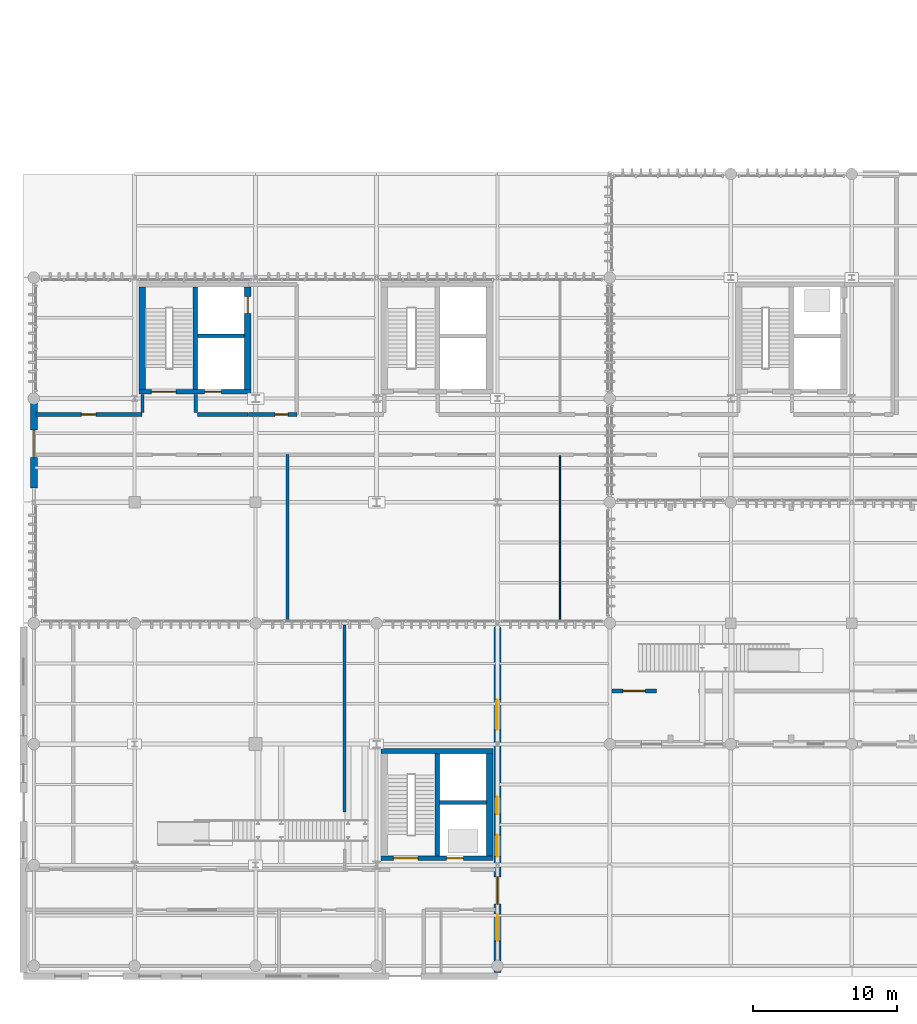
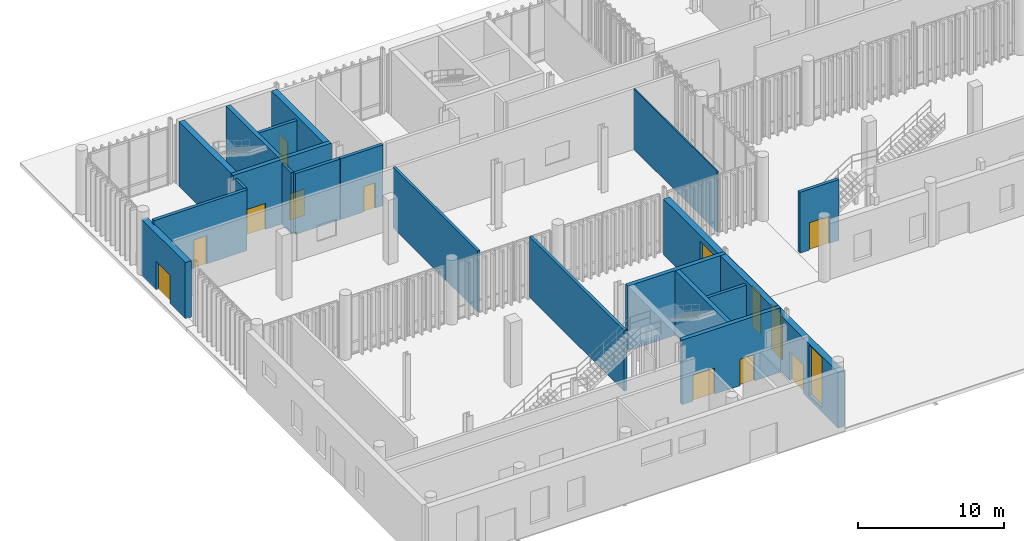
# One storey, part 86 of 112: 21 walls, 10 doors, 4 windows, 14 openings.
"""IFC4 building model written with IfcOpenShell, lengths in metres."""

from ifc_helpers import new_model, si_unit, direction, frame, frame_2d, origin_with_axes, place, context, subcontext, project, spatial, rectangle, extrude, material, layer, layer_set, type_object, element, fill, save


model = new_model("IFC4")

# Units and contexts
model_context = context("Model", 3, precision=1e-05, world=origin_with_axes(), true_north=direction((0.0, 1.0)))
body_context = subcontext(model_context, "Body", "Model", "MODEL_VIEW")
ifc_project = project(units=[si_unit("LENGTHUNIT", "METRE"), si_unit("AREAUNIT", "SQUARE_METRE"), si_unit("VOLUMEUNIT", "CUBIC_METRE"), si_unit("PLANEANGLEUNIT", "RADIAN"), si_unit("MASSUNIT", "GRAM", prefix="KILO"), si_unit("THERMODYNAMICTEMPERATUREUNIT", "KELVIN")], contexts=[model_context])

# Site, building, storey
site_placement = place(None, origin_with_axes())
site = spatial("IfcSite", under=ifc_project, at=site_placement, CompositionType="ELEMENT")
building_placement = place(site_placement, origin_with_axes())
building = spatial("IfcBuilding", under=site, at=building_placement, Name="Montbau Bow Law Courts", CompositionType="ELEMENT")
storey_placement = place(building_placement, origin_with_axes())
storey = spatial("IfcBuildingStorey", under=building, at=storey_placement, Name="L00", CompositionType="ELEMENT", Elevation=0.0)

# Wall, opening, door
ifc_material_1 = material(Name="Concrete CSA A23.1 f'c 45 MPa", Category="concrete")
ifc_layer_1 = layer(ifc_material_1, 0.45, Name="Shear Wall", Category="concrete")
ifc_layer_set_1 = layer_set([ifc_layer_1], Name="Concrete CSA A23.1 f'c 45 MPa")
wall_type_1 = type_object("IfcWallType", Name="W-COR-02", PredefinedType="SHEAR", material=ifc_layer_set_1)
wall_1_placement = place(None, frame((21.66, 46.84, 0.0), z_axis=(0.0, 0.0, 1.0), x_axis=(0.0, 1.0, 0.0)))
wall_1 = element("IfcWall", 1, at=wall_1_placement, inside=storey, type_object=wall_type_1, Name="WC-L00-0012:wal_0079", PredefinedType="SHEAR", context=body_context, shape_type="SweptSolid", body=[
    extrude(rectangle(XDim=7.119999999999997, YDim=0.45, at=frame_2d((3.56, 0.0), x_axis=(1.0, 0.0))), origin_with_axes(), (0.0, 0.0, 1.0), 5.4),
])
opening_1_placement = place(None, frame((21.66, 52.69, 0.0), z_axis=(0.0, 0.0, 1.0), x_axis=(0.0, 1.0, 0.0)))
opening_1 = element("IfcOpeningElement", 2, at=opening_1_placement, cuts=wall_1, Name="OP-LD-L00-EL-P2", PredefinedType="OPENING", context=body_context, shape_type="SweptSolid", body=[
    extrude(rectangle(XDim=1.16, YDim=2.2, at=frame_2d((0.0, 1.1), x_axis=(1.0, 0.0))), frame((0.0, 0.235, 0.0), z_axis=(0.0, -1.0, 0.0), x_axis=(1.0, 0.0, 0.0)), (0.0, 0.0, 1.0), 0.47),
])
ifc_material_2 = material(Name="Brushed Stainless Steel Elevator Landing Door", Category="steel")
door_type_1 = type_object("IfcDoorType", Name="LD-PUB-01", OperationType="NOTDEFINED", ParameterTakesPrecedence=False, PredefinedType="DOOR", material=ifc_material_2)
door_1_placement = place(None, frame((21.66, 52.69, 0.0), z_axis=(0.0, 0.0, 1.0), x_axis=(0.0, 1.0, 0.0)))
door_1 = element("IfcDoor", 3, at=door_1_placement, inside=storey, type_object=door_type_1, Name="LD-L00-EL-P2:dor_0043", OperationType="SLIDING_TO_LEFT", OverallHeight=2.2, OverallWidth=1.16, PredefinedType="DOOR", context=body_context, shape_type="SweptSolid", body=[
    extrude(rectangle(XDim=1.16, YDim=2.2, at=frame_2d((0.0, 1.1), x_axis=(1.0, 0.0))), frame((0.0, 0.04, 0.0), z_axis=(0.0, -1.0, 0.0), x_axis=(1.0, 0.0, 0.0)), (0.0, 0.0, 1.0), 0.08),
])
fill(opening_1, door_1)

# Walls
wall_2_placement = place(None, frame((14.34, 53.96, 0.0), z_axis=(0.0, 0.0, 1.0), x_axis=(0.0, -1.0, 0.0)))
element("IfcWall", 4, at=wall_2_placement, inside=storey, type_object=wall_type_1, Name="WC-L00-0013:wal_0080", PredefinedType="SHEAR", context=body_context, shape_type="SweptSolid", body=[
    extrude(rectangle(XDim=7.119999999999997, YDim=0.45, at=frame_2d((3.56, 0.0), x_axis=(1.0, 0.0))), origin_with_axes(), (0.0, 0.0, 1.0), 5.4),
])
wall_3_placement = place(None, frame((38.46, 14.44, 0.0), z_axis=(0.0, 0.0, 1.0), x_axis=(0.0, 1.0, 0.0)))
element("IfcWall", 5, at=wall_3_placement, inside=storey, type_object=wall_type_1, Name="WC-L00-0533:wal_0600", PredefinedType="SHEAR", context=body_context, shape_type="SweptSolid", body=[
    extrude(rectangle(XDim=7.119999999999999, YDim=0.45, at=frame_2d((3.56, 0.0), x_axis=(1.0, 0.0))), origin_with_axes(), (0.0, 0.0, 1.0), 5.4),
])

# Wall, openings, doors
ifc_layer_2 = layer(ifc_material_1, 0.32, Name="Shear Wall", Category="concrete")
ifc_layer_set_2 = layer_set([ifc_layer_2], Name="Concrete CSA A23.1 f'c 45 MPa")
wall_type_2 = type_object("IfcWallType", Name="W-COR-05", PredefinedType="SHEAR", material=ifc_layer_set_2)
wall_4_placement = place(None, frame((14.115, 46.68, 0.0), z_axis=(0.0, 0.0, 1.0), x_axis=(1.0, 0.0, 0.0)))
wall_4 = element("IfcWall", 6, at=wall_4_placement, inside=storey, type_object=wall_type_2, Name="WC-L00-0010:wal_0077", PredefinedType="SHEAR", context=body_context, shape_type="SweptSolid", body=[
    extrude(rectangle(XDim=7.770000000000001, YDim=0.32, at=frame_2d((3.885, 0.0), x_axis=(1.0, 0.0))), origin_with_axes(), (0.0, 0.0, 1.0), 5.4),
])
opening_2_placement = place(None, frame((15.825, 46.68, 0.0), z_axis=(0.0, 0.0, 1.0), x_axis=(1.0, 0.0, 0.0)))
opening_2 = element("IfcOpeningElement", 7, at=opening_2_placement, cuts=wall_4, Name="OP-D-L00-ST-P1", PredefinedType="OPENING", context=body_context, shape_type="SweptSolid", body=[
    extrude(rectangle(XDim=1.72, YDim=2.18, at=frame_2d((0.0, 1.09), x_axis=(1.0, 0.0))), frame((0.0, 0.17, 0.0), z_axis=(0.0, -1.0, 0.0), x_axis=(1.0, 0.0, 0.0)), (0.0, 0.0, 1.0), 0.34),
])
opening_3_placement = place(None, frame((19.25, 46.68, 0.0), z_axis=(0.0, 0.0, 1.0), x_axis=(1.0, 0.0, 0.0)))
opening_3 = element("IfcOpeningElement", 8, at=opening_3_placement, cuts=wall_4, Name="OP-LD-L00-EL-P1", PredefinedType="OPENING", context=body_context, shape_type="SweptSolid", body=[
    extrude(rectangle(XDim=1.16, YDim=2.2, at=frame_2d((0.0, 1.1), x_axis=(1.0, 0.0))), frame((0.0, 0.17, 0.0), z_axis=(0.0, -1.0, 0.0), x_axis=(1.0, 0.0, 0.0)), (0.0, 0.0, 1.0), 0.34),
])
ifc_material_3 = material(Name="1.5 h Fire-Rated Double Exit Stair Discharge Door", Category="steel")
door_type_2 = type_object("IfcDoorType", Name="D-ST-02", OperationType="NOTDEFINED", ParameterTakesPrecedence=False, PredefinedType="DOOR", material=ifc_material_3)
door_2_placement = place(None, frame((15.825, 46.68, 0.0), z_axis=(0.0, 0.0, 1.0), x_axis=(-1.0, 0.0, 0.0)))
door_2 = element("IfcDoor", 9, at=door_2_placement, inside=storey, type_object=door_type_2, Name="D-L00-ST-P1:dor_0041", OperationType="DOUBLE_DOOR_SINGLE_SWING", OverallHeight=2.18, OverallWidth=1.72, PredefinedType="DOOR", context=body_context, shape_type="SweptSolid", body=[
    extrude(rectangle(XDim=1.72, YDim=2.18, at=frame_2d((0.0, 1.09), x_axis=(1.0, 0.0))), frame((0.0, 0.04, 0.0), z_axis=(0.0, -1.0, 0.0), x_axis=(1.0, 0.0, 0.0)), (0.0, 0.0, 1.0), 0.08),
])
fill(opening_2, door_2)
door_3_placement = place(None, frame((19.25, 46.68, 0.0), z_axis=(0.0, 0.0, 1.0), x_axis=(-1.0, 0.0, 0.0)))
door_3 = element("IfcDoor", 10, at=door_3_placement, inside=storey, type_object=door_type_1, Name="LD-L00-EL-P1:dor_0042", OperationType="SLIDING_TO_LEFT", OverallHeight=2.2, OverallWidth=1.16, PredefinedType="DOOR", context=body_context, shape_type="SweptSolid", body=[
    extrude(rectangle(XDim=1.16, YDim=2.2, at=frame_2d((0.0, 1.1), x_axis=(1.0, 0.0))), frame((0.0, 0.04, 0.0), z_axis=(0.0, -1.0, 0.0), x_axis=(1.0, 0.0, 0.0)), (0.0, 0.0, 1.0), 0.08),
])
fill(opening_3, door_3)

# Wall
wall_5_placement = place(None, frame((18.02, 46.84, 0.0), z_axis=(0.0, 0.0, 1.0), x_axis=(0.0, 1.0, 0.0)))
element("IfcWall", 11, at=wall_5_placement, inside=storey, type_object=wall_type_2, Name="WS-L00-0014:wal_0081", PredefinedType="SHEAR", context=body_context, shape_type="SweptSolid", body=[
    extrude(rectangle(XDim=7.119999999999997, YDim=0.32, at=frame_2d((3.56, 0.0), x_axis=(1.0, 0.0))), origin_with_axes(), (0.0, 0.0, 1.0), 5.4),
])

# Wall, openings, doors
wall_6_placement = place(None, frame((30.915, 14.28, 0.0), z_axis=(0.0, 0.0, 1.0), x_axis=(1.0, 0.0, 0.0)))
wall_6 = element("IfcWall", 12, at=wall_6_placement, inside=storey, type_object=wall_type_2, Name="WC-L00-0531:wal_0598", PredefinedType="SHEAR", context=body_context, shape_type="SweptSolid", body=[
    extrude(rectangle(XDim=7.770000000000003, YDim=0.32, at=frame_2d((3.885, 0.0), x_axis=(1.0, 0.0))), origin_with_axes(), (0.0, 0.0, 1.0), 5.4),
])
opening_4_placement = place(None, frame((32.625, 14.28, 0.0), z_axis=(0.0, 0.0, 1.0), x_axis=(1.0, 0.0, 0.0)))
opening_4 = element("IfcOpeningElement", 13, at=opening_4_placement, cuts=wall_6, Name="OP-D-L00-ST-CER1", PredefinedType="OPENING", context=body_context, shape_type="SweptSolid", body=[
    extrude(rectangle(XDim=1.72, YDim=2.18, at=frame_2d((0.0, 1.09), x_axis=(1.0, 0.0))), frame((0.0, 0.17, 0.0), z_axis=(0.0, -1.0, 0.0), x_axis=(1.0, 0.0, 0.0)), (0.0, 0.0, 1.0), 0.34),
])
opening_5_placement = place(None, frame((36.05, 14.28, 0.0), z_axis=(0.0, 0.0, 1.0), x_axis=(1.0, 0.0, 0.0)))
opening_5 = element("IfcOpeningElement", 14, at=opening_5_placement, cuts=wall_6, Name="OP-LD-L00-EL-CER1", PredefinedType="OPENING", context=body_context, shape_type="SweptSolid", body=[
    extrude(rectangle(XDim=1.16, YDim=2.2, at=frame_2d((0.0, 1.1), x_axis=(1.0, 0.0))), frame((0.0, 0.17, 0.0), z_axis=(0.0, -1.0, 0.0), x_axis=(1.0, 0.0, 0.0)), (0.0, 0.0, 1.0), 0.34),
])
door_4_placement = place(None, frame((32.625, 14.28, 0.0), z_axis=(0.0, 0.0, 1.0), x_axis=(-1.0, 0.0, 0.0)))
door_4 = element("IfcDoor", 15, at=door_4_placement, inside=storey, type_object=door_type_2, Name="D-L00-ST-CER1:dor_0236", OperationType="DOUBLE_DOOR_SINGLE_SWING", OverallHeight=2.18, OverallWidth=1.72, PredefinedType="DOOR", context=body_context, shape_type="SweptSolid", body=[
    extrude(rectangle(XDim=1.72, YDim=2.18, at=frame_2d((0.0, 1.09), x_axis=(1.0, 0.0))), frame((0.0, 0.04, 0.0), z_axis=(0.0, -1.0, 0.0), x_axis=(1.0, 0.0, 0.0)), (0.0, 0.0, 1.0), 0.08),
])
fill(opening_4, door_4)
door_5_placement = place(None, frame((36.05, 14.28, 0.0), z_axis=(0.0, 0.0, 1.0), x_axis=(-1.0, 0.0, 0.0)))
door_5 = element("IfcDoor", 16, at=door_5_placement, inside=storey, type_object=door_type_1, Name="LD-L00-EL-CER1:dor_0237", OperationType="SLIDING_TO_LEFT", OverallHeight=2.2, OverallWidth=1.16, PredefinedType="DOOR", context=body_context, shape_type="SweptSolid", body=[
    extrude(rectangle(XDim=1.16, YDim=2.2, at=frame_2d((0.0, 1.1), x_axis=(1.0, 0.0))), frame((0.0, 0.04, 0.0), z_axis=(0.0, -1.0, 0.0), x_axis=(1.0, 0.0, 0.0)), (0.0, 0.0, 1.0), 0.08),
])
fill(opening_5, door_5)

# Walls
wall_7_placement = place(None, frame((38.685, 21.72, 0.0), z_axis=(0.0, 0.0, 1.0), x_axis=(-1.0, 0.0, 0.0)))
element("IfcWall", 17, at=wall_7_placement, inside=storey, type_object=wall_type_2, Name="WC-L00-0532:wal_0599", PredefinedType="SHEAR", context=body_context, shape_type="SweptSolid", body=[
    extrude(rectangle(XDim=7.770000000000003, YDim=0.32, at=frame_2d((3.885, 0.0), x_axis=(1.0, 0.0))), origin_with_axes(), (0.0, 0.0, 1.0), 5.4),
])
wall_8_placement = place(None, frame((34.82, 14.44, 0.0), z_axis=(0.0, 0.0, 1.0), x_axis=(0.0, 1.0, 0.0)))
element("IfcWall", 18, at=wall_8_placement, inside=storey, type_object=wall_type_2, Name="WS-L00-0535:wal_0602", PredefinedType="SHEAR", context=body_context, shape_type="SweptSolid", body=[
    extrude(rectangle(XDim=7.119999999999999, YDim=0.32, at=frame_2d((3.56, 0.0), x_axis=(1.0, 0.0))), origin_with_axes(), (0.0, 0.0, 1.0), 5.4),
])

# Wall, openings, door, windows
ifc_material_4 = material(Name="Manitoba Tyndall Limestone on Insulated Concrete Backing CSA A23.1 f'c 35 MPa", Category="masonry")
ifc_layer_3 = layer(ifc_material_4, 0.48, Name="Solid Wall", Category="masonry")
ifc_layer_set_3 = layer_set([ifc_layer_3], Name="Manitoba Tyndall Limestone on Insulated Concrete Backing CSA A23.1 f'c 35 MPa")
wall_type_3 = type_object("IfcWallType", Name="W-EXT-01", PredefinedType="SOLIDWALL", material=ifc_layer_set_3)
wall_9_placement = place(None, frame((39.0, 6.34, 0.0), z_axis=(0.0, 0.0, 1.0), x_axis=(0.0, 1.0, 0.0)))
wall_9 = element("IfcWall", 19, at=wall_9_placement, inside=storey, type_object=wall_type_3, Name="WE-L00-002:wal_0019", PredefinedType="SOLIDWALL", context=body_context, shape_type="SweptSolid", body=[
    extrude(rectangle(XDim=23.95, YDim=0.48, at=frame_2d((11.975, 0.0), x_axis=(1.0, 0.0))), origin_with_axes(), (0.0, 0.0, 1.0), 4.664),
])
opening_6_placement = place(None, frame((39.0, 12.04, 0.0), z_axis=(0.0, 0.0, 1.0), x_axis=(0.0, 1.0, 0.0)))
opening_6 = element("IfcOpeningElement", 20, at=opening_6_placement, cuts=wall_9, Name="OP-D-L00-E19", PredefinedType="OPENING", context=body_context, shape_type="SweptSolid", body=[
    extrude(rectangle(XDim=1.9, YDim=2.4, at=frame_2d((0.0, 1.2), x_axis=(1.0, 0.0))), frame((0.0, 0.25, 0.0), z_axis=(0.0, -1.0, 0.0), x_axis=(1.0, 0.0, 0.0)), (0.0, 0.0, 1.0), 0.5),
])
opening_7_placement = place(None, frame((39.0, 9.44, 0.364), z_axis=(0.0, 0.0, 1.0), x_axis=(0.0, 1.0, 0.0)))
opening_7 = element("IfcOpeningElement", 21, at=opening_7_placement, cuts=wall_9, Name="OP-WN-L00-001", PredefinedType="OPENING", context=body_context, shape_type="SweptSolid", body=[
    extrude(rectangle(XDim=1.8, YDim=4.2, at=frame_2d((0.0, 2.1), x_axis=(1.0, 0.0))), frame((0.0, 0.25, 0.0), z_axis=(0.0, -1.0, 0.0), x_axis=(1.0, 0.0, 0.0)), (0.0, 0.0, 1.0), 0.5),
])
opening_8_placement = place(None, frame((39.0, 15.14, 0.764), z_axis=(0.0, 0.0, 1.0), x_axis=(0.0, 1.0, 0.0)))
opening_8 = element("IfcOpeningElement", 22, at=opening_8_placement, cuts=wall_9, Name="OP-WN-L00-002", PredefinedType="OPENING", context=body_context, shape_type="SweptSolid", body=[
    extrude(rectangle(XDim=1.5, YDim=3.8, at=frame_2d((0.0, 1.9), x_axis=(1.0, 0.0))), frame((0.0, 0.25, 0.0), z_axis=(0.0, -1.0, 0.0), x_axis=(1.0, 0.0, 0.0)), (0.0, 0.0, 1.0), 0.5),
])
opening_9_placement = place(None, frame((39.0, 17.94, 1.1), z_axis=(0.0, 0.0, 1.0), x_axis=(0.0, 1.0, 0.0)))
opening_9 = element("IfcOpeningElement", 23, at=opening_9_placement, cuts=wall_9, Name="OP-WN-L00-003", PredefinedType="OPENING", context=body_context, shape_type="SweptSolid", body=[
    extrude(rectangle(XDim=1.2, YDim=3.4, at=frame_2d((0.0, 1.7), x_axis=(1.0, 0.0))), frame((0.0, 0.25, 0.0), z_axis=(0.0, -1.0, 0.0), x_axis=(1.0, 0.0, 0.0)), (0.0, 0.0, 1.0), 0.5),
])
opening_10_placement = place(None, frame((39.0, 24.24, 0.85), z_axis=(0.0, 0.0, 1.0), x_axis=(0.0, 1.0, 0.0)))
opening_10 = element("IfcOpeningElement", 24, at=opening_10_placement, cuts=wall_9, Name="OP-WN-L00-004", PredefinedType="OPENING", context=body_context, shape_type="SweptSolid", body=[
    extrude(rectangle(XDim=2.1, YDim=3.3, at=frame_2d((0.0, 1.65), x_axis=(1.0, 0.0))), frame((0.0, 0.25, 0.0), z_axis=(0.0, -1.0, 0.0), x_axis=(1.0, 0.0, 0.0)), (0.0, 0.0, 1.0), 0.5),
])
ifc_material_5 = material(Name="Insulated Hollow-Metal Exit Discharge Door", Category="steel")
door_type_3 = type_object("IfcDoorType", Name="D-EXT-04", OperationType="NOTDEFINED", ParameterTakesPrecedence=False, PredefinedType="DOOR", material=ifc_material_5)
door_6_placement = place(None, frame((39.0, 12.04, 0.0), z_axis=(0.0, 0.0, 1.0), x_axis=(0.0, -1.0, 0.0)))
door_6 = element("IfcDoor", 25, at=door_6_placement, inside=storey, type_object=door_type_3, Name="D-L00-E19:dor_0011", OperationType="DOUBLE_DOOR_SINGLE_SWING", OverallHeight=2.4, OverallWidth=1.9, PredefinedType="DOOR", context=body_context, shape_type="SweptSolid", body=[
    extrude(rectangle(XDim=1.9, YDim=2.4, at=frame_2d((0.0, 1.2), x_axis=(1.0, 0.0))), frame((0.0, 0.04, 0.0), z_axis=(0.0, -1.0, 0.0), x_axis=(1.0, 0.0, 0.0)), (0.0, 0.0, 1.0), 0.08),
])
fill(opening_6, door_6)
ifc_material_6 = material(Name="Triple-Glazed Low-E Argon Insulating Glass Unit", Category="glass")
window_type_1 = type_object("IfcWindowType", Name="WN-CER-01", ParameterTakesPrecedence=False, PartitioningType="SINGLE_PANEL", PredefinedType="WINDOW", material=ifc_material_6)
window_1_placement = place(None, frame((39.0, 9.44, 0.364), z_axis=(0.0, 0.0, 1.0), x_axis=(0.0, 1.0, 0.0)))
window_1 = element("IfcWindow", 26, at=window_1_placement, inside=storey, type_object=window_type_1, Name="WN-L00-001:win_0001", OverallHeight=4.2, OverallWidth=1.8, PartitioningType="SINGLE_PANEL", PredefinedType="WINDOW", context=body_context, shape_type="SweptSolid", body=[
    extrude(rectangle(XDim=1.8, YDim=4.2, at=frame_2d((0.0, 2.1), x_axis=(1.0, 0.0))), frame((0.0, 0.03, 0.0), z_axis=(0.0, -1.0, 0.0), x_axis=(1.0, 0.0, 0.0)), (0.0, 0.0, 1.0), 0.06),
])
fill(opening_7, window_1)
window_type_2 = type_object("IfcWindowType", Name="WN-CER-02", ParameterTakesPrecedence=False, PartitioningType="SINGLE_PANEL", PredefinedType="WINDOW", material=ifc_material_6)
window_2_placement = place(None, frame((39.0, 15.14, 0.764), z_axis=(0.0, 0.0, 1.0), x_axis=(0.0, 1.0, 0.0)))
window_2 = element("IfcWindow", 27, at=window_2_placement, inside=storey, type_object=window_type_2, Name="WN-L00-002:win_0002", OverallHeight=3.8, OverallWidth=1.5, PartitioningType="SINGLE_PANEL", PredefinedType="WINDOW", context=body_context, shape_type="SweptSolid", body=[
    extrude(rectangle(XDim=1.5, YDim=3.8, at=frame_2d((0.0, 1.9), x_axis=(1.0, 0.0))), frame((0.0, 0.03, 0.0), z_axis=(0.0, -1.0, 0.0), x_axis=(1.0, 0.0, 0.0)), (0.0, 0.0, 1.0), 0.06),
])
fill(opening_8, window_2)
window_type_3 = type_object("IfcWindowType", Name="WN-CER-03", ParameterTakesPrecedence=False, PartitioningType="SINGLE_PANEL", PredefinedType="WINDOW", material=ifc_material_6)
window_3_placement = place(None, frame((39.0, 17.94, 1.1), z_axis=(0.0, 0.0, 1.0), x_axis=(0.0, 1.0, 0.0)))
window_3 = element("IfcWindow", 28, at=window_3_placement, inside=storey, type_object=window_type_3, Name="WN-L00-003:win_0003", OverallHeight=3.4, OverallWidth=1.2, PartitioningType="SINGLE_PANEL", PredefinedType="WINDOW", context=body_context, shape_type="SweptSolid", body=[
    extrude(rectangle(XDim=1.2, YDim=3.4, at=frame_2d((0.0, 1.7), x_axis=(1.0, 0.0))), frame((0.0, 0.03, 0.0), z_axis=(0.0, -1.0, 0.0), x_axis=(1.0, 0.0, 0.0)), (0.0, 0.0, 1.0), 0.06),
])
fill(opening_9, window_3)
window_type_4 = type_object("IfcWindowType", Name="WN-PLN-01", ParameterTakesPrecedence=False, PartitioningType="SINGLE_PANEL", PredefinedType="WINDOW", material=ifc_material_6)
window_4_placement = place(None, frame((39.0, 24.24, 0.85), z_axis=(0.0, 0.0, 1.0), x_axis=(0.0, 1.0, 0.0)))
window_4 = element("IfcWindow", 29, at=window_4_placement, inside=storey, type_object=window_type_4, Name="WN-L00-004:win_0004", OverallHeight=3.3, OverallWidth=2.1, PartitioningType="SINGLE_PANEL", PredefinedType="WINDOW", context=body_context, shape_type="SweptSolid", body=[
    extrude(rectangle(XDim=2.1, YDim=3.3, at=frame_2d((0.0, 1.65), x_axis=(1.0, 0.0))), frame((0.0, 0.03, 0.0), z_axis=(0.0, -1.0, 0.0), x_axis=(1.0, 0.0, 0.0)), (0.0, 0.0, 1.0), 0.06),
])
fill(opening_10, window_4)

# Wall, opening, door
wall_10_placement = place(None, frame((6.8, 40.0, 0.0), z_axis=(0.0, 0.0, 1.0), x_axis=(0.0, 1.0, 0.0)))
wall_10 = element("IfcWall", 30, at=wall_10_placement, inside=storey, type_object=wall_type_3, Name="WE-L00-028:wal_0045", PredefinedType="SOLIDWALL", context=body_context, shape_type="SweptSolid", body=[
    extrude(rectangle(XDim=6.0, YDim=0.48, at=frame_2d((3.0, 0.0), x_axis=(1.0, 0.0))), origin_with_axes(), (0.0, 0.0, 1.0), 4.724),
])
opening_11_placement = place(None, frame((6.8, 43.05, 0.0), z_axis=(0.0, 0.0, 1.0), x_axis=(0.0, 1.0, 0.0)))
opening_11 = element("IfcOpeningElement", 31, at=opening_11_placement, cuts=wall_10, Name="OP-D-L00-E10", PredefinedType="OPENING", context=body_context, shape_type="SweptSolid", body=[
    extrude(rectangle(XDim=1.9, YDim=2.4, at=frame_2d((0.0, 1.2), x_axis=(1.0, 0.0))), frame((0.0, 0.25, 0.0), z_axis=(0.0, -1.0, 0.0), x_axis=(1.0, 0.0, 0.0)), (0.0, 0.0, 1.0), 0.5),
])
door_7_placement = place(None, frame((6.8, 43.05, 0.0), z_axis=(0.0, 0.0, 1.0), x_axis=(0.0, 1.0, 0.0)))
door_7 = element("IfcDoor", 32, at=door_7_placement, inside=storey, type_object=door_type_3, Name="D-L00-E10:dor_0012", OperationType="DOUBLE_DOOR_SINGLE_SWING", OverallHeight=2.4, OverallWidth=1.9, PredefinedType="DOOR", context=body_context, shape_type="SweptSolid", body=[
    extrude(rectangle(XDim=1.9, YDim=2.4, at=frame_2d((0.0, 1.2), x_axis=(1.0, 0.0))), frame((0.0, 0.04, 0.0), z_axis=(0.0, -1.0, 0.0), x_axis=(1.0, 0.0, 0.0)), (0.0, 0.0, 1.0), 0.08),
])
fill(opening_11, door_7)

# Wall
ifc_material_7 = material(Name="2 h Shaft and Exit-Passage Fire Separation Partition", Category="gypsum")
ifc_layer_4 = layer(ifc_material_7, 0.25, Name="Partition", Category="gypsum")
ifc_layer_set_4 = layer_set([ifc_layer_4], Name="2 h Shaft and Exit-Passage Fire Separation Partition")
wall_type_4 = type_object("IfcWallType", Name="W-PRT-01", PredefinedType="PARTITIONING", material=ifc_layer_set_4)
wall_11_placement = place(None, frame((18.18, 50.549, 0.0), z_axis=(0.0, 0.0, 1.0), x_axis=(1.0, 0.0, 0.0)))
element("IfcWall", 33, at=wall_11_placement, inside=storey, type_object=wall_type_4, Name="WS-L00-0015:wal_0082", PredefinedType="PARTITIONING", context=body_context, shape_type="SweptSolid", body=[
    extrude(rectangle(XDim=3.254999999999999, YDim=0.25, at=frame_2d((1.6275, 0.0), x_axis=(1.0, 0.0))), origin_with_axes(), (0.0, 0.0, 1.0), 5.08),
])

# Wall, opening, door
wall_12_placement = place(None, frame((21.7, 45.09, 0.0), z_axis=(0.0, 0.0, 1.0), x_axis=(1.0, 0.0, 0.0)))
wall_12 = element("IfcWall", 34, at=wall_12_placement, inside=storey, type_object=wall_type_4, Name="WEL-L00-0018:wal_0085", PredefinedType="PARTITIONING", context=body_context, shape_type="SweptSolid", body=[
    extrude(rectangle(XDim=3.3599999999999994, YDim=0.25, at=frame_2d((1.68, 0.0), x_axis=(1.0, 0.0))), origin_with_axes(), (0.0, 0.0, 1.0), 5.08),
])
opening_12_placement = place(None, frame((24.005, 45.09, 0.0), z_axis=(0.0, 0.0, 1.0), x_axis=(1.0, 0.0, 0.0)))
opening_12 = element("IfcOpeningElement", 35, at=opening_12_placement, cuts=wall_12, Name="OP-D-L00-ELB-CORE-W1", PredefinedType="OPENING", context=body_context, shape_type="SweptSolid", body=[
    extrude(rectangle(XDim=0.91, YDim=2.12, at=frame_2d((0.0, 1.06), x_axis=(1.0, 0.0))), frame((0.0, 0.135, 0.0), z_axis=(0.0, -1.0, 0.0), x_axis=(1.0, 0.0, 0.0)), (0.0, 0.0, 1.0), 0.27),
])
ifc_material_8 = material(Name="Public and Judicial Washroom Solid-Core Door", Category="wood")
door_type_4 = type_object("IfcDoorType", Name="D-WC-02", OperationType="NOTDEFINED", ParameterTakesPrecedence=False, PredefinedType="DOOR", material=ifc_material_8)
door_8_placement = place(None, frame((24.005, 45.09, 0.0), z_axis=(0.0, 0.0, 1.0), x_axis=(1.0, 0.0, 0.0)))
door_8 = element("IfcDoor", 36, at=door_8_placement, inside=storey, type_object=door_type_4, Name="D-L00-ELB-CORE-W1:dor_0044", OperationType="SINGLE_SWING_LEFT", OverallHeight=2.12, OverallWidth=0.91, PredefinedType="DOOR", context=body_context, shape_type="SweptSolid", body=[
    extrude(rectangle(XDim=0.91, YDim=2.12, at=frame_2d((0.0, 1.06), x_axis=(1.0, 0.0))), frame((0.0, 0.04, 0.0), z_axis=(0.0, -1.0, 0.0), x_axis=(1.0, 0.0, 0.0)), (0.0, 0.0, 1.0), 0.08),
])
fill(opening_12, door_8)

# Wall
wall_13_placement = place(None, frame((34.98, 18.149, 0.0), z_axis=(0.0, 0.0, 1.0), x_axis=(1.0, 0.0, 0.0)))
element("IfcWall", 37, at=wall_13_placement, inside=storey, type_object=wall_type_4, Name="WS-L00-0536:wal_0603", PredefinedType="PARTITIONING", context=body_context, shape_type="SweptSolid", body=[
    extrude(rectangle(XDim=3.2550000000000026, YDim=0.25, at=frame_2d((1.6275, 0.0), x_axis=(1.0, 0.0))), origin_with_axes(), (0.0, 0.0, 1.0), 5.08),
])

# Wall, opening, door
wall_14_placement = place(None, frame((6.94, 45.09, 0.0), z_axis=(0.0, 0.0, 1.0), x_axis=(1.0, 0.0, 0.0)))
wall_14 = element("IfcWall", 38, at=wall_14_placement, inside=storey, type_object=wall_type_4, Name="WP-L00-0622:wal_0689", PredefinedType="PARTITIONING", context=body_context, shape_type="SweptSolid", body=[
    extrude(rectangle(XDim=7.36, YDim=0.25, at=frame_2d((3.68, 0.0), x_axis=(1.0, 0.0))), origin_with_axes(), (0.0, 0.0, 1.0), 5.08),
])
opening_13_placement = place(None, frame((10.62, 45.09, 0.0), z_axis=(0.0, 0.0, 1.0), x_axis=(1.0, 0.0, 0.0)))
opening_13 = element("IfcOpeningElement", 39, at=opening_13_placement, cuts=wall_14, Name="OP-D-L00-234", PredefinedType="OPENING", context=body_context, shape_type="SweptSolid", body=[
    extrude(rectangle(XDim=1.02, YDim=2.36, at=frame_2d((0.0, 1.18), x_axis=(1.0, 0.0))), frame((0.0, 0.135, 0.0), z_axis=(0.0, -1.0, 0.0), x_axis=(1.0, 0.0, 0.0)), (0.0, 0.0, 1.0), 0.27),
])
ifc_material_9 = material(Name="Judge Bench Private Entry Acoustic Oak Door", Category="wood")
door_type_5 = type_object("IfcDoorType", Name="D-CRT-05", OperationType="NOTDEFINED", ParameterTakesPrecedence=False, PredefinedType="DOOR", material=ifc_material_9)
door_9_placement = place(None, frame((10.62, 45.09, 0.0), z_axis=(0.0, 0.0, 1.0), x_axis=(-1.0, 0.0, 0.0)))
door_9 = element("IfcDoor", 40, at=door_9_placement, inside=storey, type_object=door_type_5, Name="D-L00-234:dor_0269", OperationType="SINGLE_SWING_LEFT", OverallHeight=2.36, OverallWidth=1.02, PredefinedType="DOOR", context=body_context, shape_type="SweptSolid", body=[
    extrude(rectangle(XDim=1.02, YDim=2.36, at=frame_2d((0.0, 1.18), x_axis=(1.0, 0.0))), frame((0.0, 0.04, 0.0), z_axis=(0.0, -1.0, 0.0), x_axis=(1.0, 0.0, 0.0)), (0.0, 0.0, 1.0), 0.08),
])
fill(opening_13, door_9)

# Wall
wall_15_placement = place(None, frame((18.15, 45.09, 0.0), z_axis=(0.0, 0.0, 1.0), x_axis=(1.0, 0.0, 0.0)))
element("IfcWall", 41, at=wall_15_placement, inside=storey, type_object=wall_type_4, Name="WP-L00-0623:wal_0690", PredefinedType="PARTITIONING", context=body_context, shape_type="SweptSolid", body=[
    extrude(rectangle(XDim=3.5100000000000016, YDim=0.25, at=frame_2d((1.755, 0.0), x_axis=(1.0, 0.0))), origin_with_axes(), (0.0, 0.0, 1.0), 5.08),
])

# Wall, opening, door
wall_16_placement = place(None, frame((46.94, 25.89, 0.0), z_axis=(0.0, 0.0, 1.0), x_axis=(1.0, 0.0, 0.0)))
wall_16 = element("IfcWall", 42, at=wall_16_placement, inside=storey, type_object=wall_type_4, Name="WP-L00-0644:wal_0711", PredefinedType="PARTITIONING", context=body_context, shape_type="SweptSolid", body=[
    extrude(rectangle(XDim=3.1099999999999994, YDim=0.25, at=frame_2d((1.555, 0.0), x_axis=(1.0, 0.0))), origin_with_axes(), (0.0, 0.0, 1.0), 5.08),
])
opening_14_placement = place(None, frame((48.495, 25.89, 0.0), z_axis=(0.0, 0.0, 1.0), x_axis=(1.0, 0.0, 0.0)))
opening_14 = element("IfcOpeningElement", 43, at=opening_14_placement, cuts=wall_16, Name="OP-D-L00-248", PredefinedType="OPENING", context=body_context, shape_type="SweptSolid", body=[
    extrude(rectangle(XDim=1.56, YDim=2.28, at=frame_2d((0.0, 1.14), x_axis=(1.0, 0.0))), frame((0.0, 0.135, 0.0), z_axis=(0.0, -1.0, 0.0), x_axis=(1.0, 0.0, 0.0)), (0.0, 0.0, 1.0), 0.27),
])
ifc_material_10 = material(Name="Case Registry Counter Suite Double Door", Category="wood")
door_type_6 = type_object("IfcDoorType", Name="D-REG-01", OperationType="NOTDEFINED", ParameterTakesPrecedence=False, PredefinedType="DOOR", material=ifc_material_10)
door_10_placement = place(None, frame((48.495, 25.89, 0.0), z_axis=(0.0, 0.0, 1.0), x_axis=(-1.0, 0.0, 0.0)))
door_10 = element("IfcDoor", 44, at=door_10_placement, inside=storey, type_object=door_type_6, Name="D-L00-248:dor_0283", OperationType="DOUBLE_DOOR_SINGLE_SWING", OverallHeight=2.28, OverallWidth=1.56, PredefinedType="DOOR", context=body_context, shape_type="SweptSolid", body=[
    extrude(rectangle(XDim=1.56, YDim=2.28, at=frame_2d((0.0, 1.14), x_axis=(1.0, 0.0))), frame((0.0, 0.04, 0.0), z_axis=(0.0, -1.0, 0.0), x_axis=(1.0, 0.0, 0.0)), (0.0, 0.0, 1.0), 0.08),
])
fill(opening_14, door_10)

# Walls
ifc_material_11 = material(Name="STC-60 High-Acoustic Courtroom Perimeter Partition", Category="gypsum")
ifc_layer_5 = layer(ifc_material_11, 0.22, Name="Partition", Category="gypsum")
ifc_layer_set_5 = layer_set([ifc_layer_5], Name="STC-60 High-Acoustic Courtroom Perimeter Partition")
wall_type_5 = type_object("IfcWallType", Name="W-PRT-02", PredefinedType="PARTITIONING", material=ifc_layer_set_5)
wall_17_placement = place(None, frame((28.386, 17.5, 0.0), z_axis=(0.0, 0.0, 1.0), x_axis=(0.0, 1.0, 0.0)))
element("IfcWall", 45, at=wall_17_placement, inside=storey, type_object=wall_type_5, Name="WD-L00-0616:wal_0683", PredefinedType="PARTITIONING", context=body_context, shape_type="SweptSolid", body=[
    extrude(rectangle(XDim=12.96, YDim=0.22, at=frame_2d((6.48, 0.0), x_axis=(1.0, 0.0))), origin_with_axes(), (0.0, 0.0, 1.0), 5.08),
])
for number, where, z_axis, x_axis, name in (
    (46, (14.34, 45.22, 0.0), (0.0, 0.0, 1.0), (0.0, 1.0, 0.0), "WCX-L00-0618:wal_0685"),
    (47, (18.05, 45.22, 0.0), (0.0, 0.0, 1.0), (0.0, 1.0, 0.0), "WCX-L00-0619:wal_0686"),
):
    element("IfcWall", number, at=place(None, frame(where, z_axis=z_axis, x_axis=x_axis)), inside=storey, type_object=wall_type_5, Name=name, PredefinedType="PARTITIONING", context=body_context, shape_type="SweptSolid", body=[
        extrude(rectangle(XDim=1.259999999999998, YDim=0.22, at=frame_2d((0.63, 0.0), x_axis=(1.0, 0.0))), origin_with_axes(), (0.0, 0.0, 1.0), 5.08),
    ])
ifc_material_12 = material(Name="STC-55 Jury Deliberation Security Partition", Category="gypsum")
ifc_layer_6 = layer(ifc_material_12, 0.2, Name="Partition", Category="gypsum")
ifc_layer_set_6 = layer_set([ifc_layer_6], Name="STC-55 Jury Deliberation Security Partition")
wall_type_6 = type_object("IfcWallType", Name="W-PRT-03", PredefinedType="PARTITIONING", material=ifc_layer_set_6)
wall_18_placement = place(None, frame((24.426, 30.74, 0.0), z_axis=(0.0, 0.0, 1.0), x_axis=(0.0, 1.0, 0.0)))
element("IfcWall", 48, at=wall_18_placement, inside=storey, type_object=wall_type_6, Name="WD-L00-0629:wal_0696", PredefinedType="PARTITIONING", context=body_context, shape_type="SweptSolid", body=[
    extrude(rectangle(XDim=11.570000000000004, YDim=0.2, at=frame_2d((5.785, 0.0), x_axis=(1.0, 0.0))), origin_with_axes(), (0.0, 0.0, 1.0), 5.08),
])
ifc_material_13 = material(Name="Washroom Vestibule Furring Partition", Category="gypsum")
ifc_layer_7 = layer(ifc_material_13, 0.1, Name="Partition", Category="gypsum")
ifc_layer_set_7 = layer_set([ifc_layer_7], Name="Washroom Vestibule Furring Partition")
wall_type_7 = type_object("IfcWallType", Name="W-PRT-08", PredefinedType="PARTITIONING", material=ifc_layer_set_7)
wall_19_placement = place(None, frame((43.34, 30.78, 0.0), z_axis=(0.0, 0.0, 1.0), x_axis=(0.0, 1.0, 0.0)))
element("IfcWall", 49, at=wall_19_placement, inside=storey, type_object=wall_type_7, Name="WD-L00-0628:wal_0695", PredefinedType="PARTITIONING", context=body_context, shape_type="SweptSolid", body=[
    extrude(rectangle(XDim=11.43, YDim=0.1, at=frame_2d((5.715, 0.0), x_axis=(1.0, 0.0))), origin_with_axes(), (0.0, 0.0, 1.0), 5.08),
])

save(model, "model.ifc")
